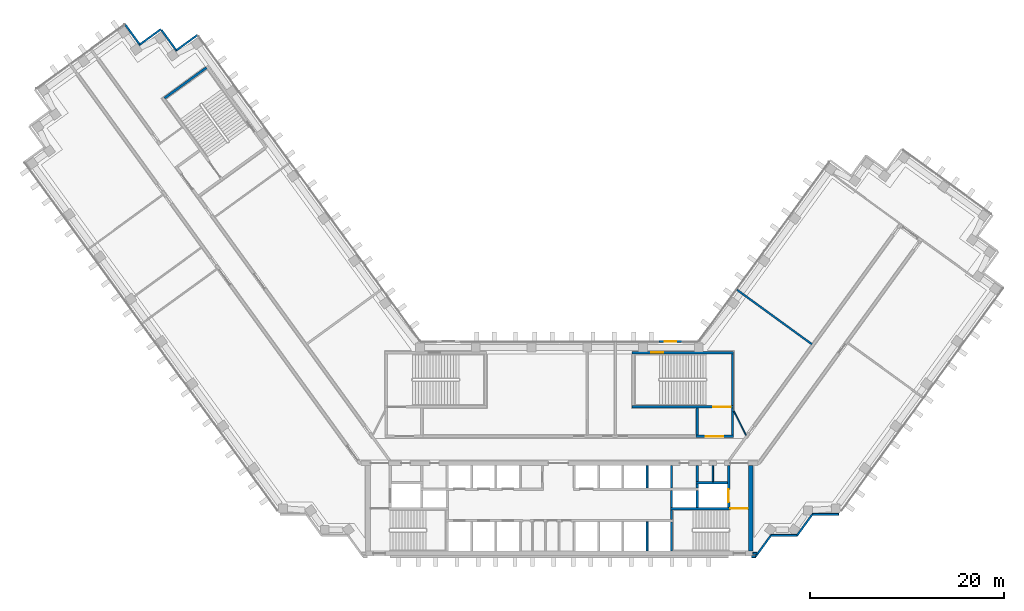
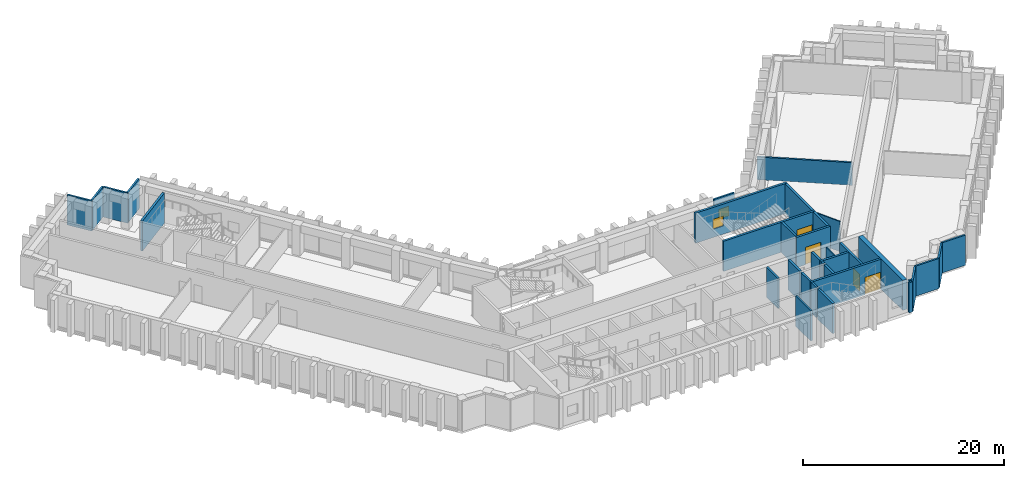
# One storey, part 8 of 12: 34 walls, 4 doors, 2 windows, 6 openings.
"""IFC4 building model written with IfcOpenShell, lengths in metres."""

from ifc_helpers import new_model, si_unit, direction, frame, frame_2d, origin, place, context, subcontext, project, spatial, rectangle, extrude, material, layer, layer_set, type_object, element, fill, save


model = new_model("IFC4")

# Units and contexts
model_context = context("Model", 3, precision=1e-05, world=origin(), true_north=direction((0.0, 1.0)))
body_context = subcontext(model_context, "Body", "Model", "MODEL_VIEW")
ifc_project = project(units=[si_unit("LENGTHUNIT", "METRE"), si_unit("AREAUNIT", "SQUARE_METRE"), si_unit("VOLUMEUNIT", "CUBIC_METRE"), si_unit("PLANEANGLEUNIT", "RADIAN"), si_unit("MASSUNIT", "GRAM", prefix="KILO")], contexts=[model_context])

# Site, building, storey
site_placement = place(None, origin())
site = spatial("IfcSite", under=ifc_project, at=site_placement, CompositionType="ELEMENT")
building_placement = place(site_placement, origin())
building = spatial("IfcBuilding", under=site, at=building_placement, Name="Quipu Civic Tower", CompositionType="ELEMENT")
storey_placement = place(building_placement, frame((0.0, 0.0, 121.0)))
storey = spatial("IfcBuildingStorey", under=building, at=storey_placement, Name="L28", CompositionType="ELEMENT", Elevation=121.0)

# Walls
ifc_material_1 = material(Name="Fired clay blockwork", Category="masonry")
ifc_layer_1 = layer(ifc_material_1, 0.199951171875)
ifc_layer_set_1 = layer_set([ifc_layer_1], Name="Fired clay blockwork")
wall_type_1 = type_object("IfcWallType", Name="Blockwork wall 200", PredefinedType="SOLIDWALL", material=ifc_layer_set_1)
wall_1_placement = place(storey_placement, frame((26.0771484375, 10.831787109375, 0.0), z_axis=(0.0, 0.0, 1.0), x_axis=(-0.809052142986, 0.587736871338, 0.0)))
element("IfcWall", 1, at=wall_1_placement, inside=storey, type_object=wall_type_1, Name="Partition P11", PredefinedType="SOLIDWALL", context=body_context, shape_type="SweptSolid", body=[
    extrude(rectangle(XDim=9.5498046875, YDim=0.199951171875, at=frame_2d((4.77490234375, 0.0))), origin(), (0.0, 0.0, 1.0), 2.75),
])
ifc_material_2 = material(Name="Concrete C70/85", Category="concrete")
ifc_layer_2 = layer(ifc_material_2, 0.25)
ifc_layer_set_2 = layer_set([ifc_layer_2], Name="Concrete C70/85")
wall_type_2 = type_object("IfcWallType", Name="Core wall 250", PredefinedType="SHEAR", material=ifc_layer_set_2)
wall_2_placement = place(storey_placement, frame((11.574951171875, -10.5, 0.0), z_axis=(0.0, 0.0, 1.0), x_axis=(0.0, 1.0, 0.0)))
element("IfcWall", 2, at=wall_2_placement, inside=storey, type_object=wall_type_2, Name="Core wall", PredefinedType="SHEAR", context=body_context, shape_type="SweptSolid", body=[
    extrude(rectangle(XDim=3.0, YDim=0.25, at=frame_2d((1.5, 0.0))), origin(), (0.0, 0.0, 1.0), 3.64990234375),
])
wall_3_placement = place(storey_placement, frame((11.574951171875, -7.25, 0.0), z_axis=(0.0, 0.0, 1.0), x_axis=(0.0, 1.0, 0.0)))
element("IfcWall", 3, at=wall_3_placement, inside=storey, type_object=wall_type_2, Name="Core wall", PredefinedType="SHEAR", context=body_context, shape_type="SweptSolid", body=[
    extrude(rectangle(XDim=1.0, YDim=0.25, at=frame_2d((0.5, 0.0))), origin(), (0.0, 0.0, 1.0), 3.64990234375),
])

# Wall, opening, door
wall_4_placement = place(storey_placement, frame((19.5, -6.125, 0.0), z_axis=(0.0, 0.0, 1.0), x_axis=(-1.0, 0.0, 0.0)))
wall_4 = element("IfcWall", 4, at=wall_4_placement, inside=storey, type_object=wall_type_2, Name="Core wall", PredefinedType="SHEAR", context=body_context, shape_type="SweptSolid", body=[
    extrude(rectangle(XDim=8.050048828125, YDim=0.25, at=frame_2d((4.02490234375, 0.0))), origin(), (0.0, 0.0, 1.0), 3.64990234375),
])
opening_1_placement = place(wall_4_placement, frame((0.050048828125, 0.0, 0.0)))
opening_1 = element("IfcOpeningElement", 5, at=opening_1_placement, cuts=wall_4, Name="Opening CD-06", PredefinedType="OPENING", context=body_context, shape_type="SweptSolid", body=[
    extrude(rectangle(XDim=1.800048828125, YDim=2.10009765625, at=frame_2d((0.89990234375, 1.050048828125))), frame((0.0, 0.135009765625, 0.0), z_axis=(0.0, -1.0, 0.0), x_axis=(1.0, 0.0, 0.0)), (0.0, 0.0, 1.0), 0.27001953125),
])
ifc_material_3 = material(Name="Fire rated steel door", Category="steel")
door_type_1 = type_object("IfcDoorType", Name="Fire door FD90 double 1800 x 2100", OperationType="NOTDEFINED", PredefinedType="DOOR", material=ifc_material_3)
door_1_placement = place(opening_1_placement, origin())
door_1 = element("IfcDoor", 6, at=door_1_placement, inside=storey, type_object=door_type_1, Name="Door", OperationType="DOUBLE_DOOR_SINGLE_SWING", OverallHeight=2.10009765625, OverallWidth=1.800048828125, PredefinedType="DOOR", context=body_context, shape_type="SweptSolid", body=[
    extrude(rectangle(XDim=1.800048828125, YDim=2.10009765625, at=frame_2d((0.89990234375, 1.050048828125))), frame((0.0, 0.02490234375, 0.0), z_axis=(0.0, -1.0, 0.0), x_axis=(1.0, 0.0, 0.0)), (0.0, 0.0, 1.0), 0.050048828125),
])
fill(opening_1, door_1)

# Walls
for number, where, z_axis, x_axis, name in (
    (7, (11.574951171875, -6.0, 0.0), (0.0, 0.0, 1.0), (0.0, 1.0, 0.0), "Core wall"),
    (8, (14.22509765625, -6.0, 0.0), (0.0, 0.0, 1.0), (0.0, 1.0, 0.0), "Core wall"),
):
    element("IfcWall", number, at=place(storey_placement, frame(where, z_axis=z_axis, x_axis=x_axis)), inside=storey, type_object=wall_type_2, Name=name, PredefinedType="SHEAR", context=body_context, shape_type="SweptSolid", body=[
        extrude(rectangle(XDim=1.75, YDim=0.25, at=frame_2d((0.875, 0.0))), origin(), (0.0, 0.0, 1.0), 3.64990234375),
    ])

# Wall, opening, door
wall_5_placement = place(storey_placement, frame((17.47509765625, -6.0, 0.0), z_axis=(0.0, 0.0, 1.0), x_axis=(0.0, 1.0, 0.0)))
wall_5 = element("IfcWall", 9, at=wall_5_placement, inside=storey, type_object=wall_type_2, Name="Core wall", PredefinedType="SHEAR", context=body_context, shape_type="SweptSolid", body=[
    extrude(rectangle(XDim=4.300048828125, YDim=0.25, at=frame_2d((2.14990234375, 0.0))), origin(), (0.0, 0.0, 1.0), 3.64990234375),
])
opening_2_placement = place(wall_5_placement, frame((0.550048828125, 0.0, 0.0)))
opening_2 = element("IfcOpeningElement", 10, at=opening_2_placement, cuts=wall_5, Name="Opening LD-FF2", PredefinedType="OPENING", context=body_context, shape_type="SweptSolid", body=[
    extrude(rectangle(XDim=1.300048828125, YDim=2.10009765625, at=frame_2d((0.64990234375, 1.050048828125))), frame((0.0, 0.135009765625, 0.0), z_axis=(0.0, -1.0, 0.0), x_axis=(1.0, 0.0, 0.0)), (0.0, 0.0, 1.0), 0.27001953125),
])
ifc_material_4 = material(Name="Stainless steel", Category="steel")
door_type_2 = type_object("IfcDoorType", Name="Lift landing door 1300 x 2100", OperationType="DOUBLE_DOOR_SLIDING", PredefinedType="DOOR", material=ifc_material_4)
door_2_placement = place(opening_2_placement, origin())
door_2 = element("IfcDoor", 11, at=door_2_placement, inside=storey, type_object=door_type_2, Name="Landing door FF2", OperationType="DOUBLE_DOOR_SLIDING", OverallHeight=2.10009765625, OverallWidth=1.300048828125, PredefinedType="DOOR", context=body_context, shape_type="SweptSolid", body=[
    extrude(rectangle(XDim=1.300048828125, YDim=2.10009765625, at=frame_2d((0.64990234375, 1.050048828125))), frame((0.0, 0.02490234375, 0.0), z_axis=(0.0, -1.0, 0.0), x_axis=(1.0, 0.0, 0.0)), (0.0, 0.0, 1.0), 0.050048828125),
])
fill(opening_2, door_2)

# Walls
wall_6_placement = place(storey_placement, frame((11.574951171875, -4.0, 0.0), z_axis=(0.0, 0.0, 1.0), x_axis=(0.0, 1.0, 0.0)))
element("IfcWall", 12, at=wall_6_placement, inside=storey, type_object=wall_type_2, Name="Core wall", PredefinedType="SHEAR", context=body_context, shape_type="SweptSolid", body=[
    extrude(rectangle(XDim=2.300048828125, YDim=0.25, at=frame_2d((1.14990234375, 0.0))), origin(), (0.0, 0.0, 1.0), 3.64990234375),
])
wall_7_placement = place(storey_placement, frame((14.22509765625, -4.0, 0.0), z_axis=(0.0, 0.0, 1.0), x_axis=(0.0, 1.0, 0.0)))
element("IfcWall", 13, at=wall_7_placement, inside=storey, type_object=wall_type_2, Name="Core wall", PredefinedType="SHEAR", context=body_context, shape_type="SweptSolid", body=[
    extrude(rectangle(XDim=0.39990234375, YDim=0.25, at=frame_2d((0.199951171875, 0.0))), origin(), (0.0, 0.0, 1.0), 3.64990234375),
])
wall_8_placement = place(storey_placement, frame((14.10009765625, -3.47509765625, 0.0), z_axis=(0.0, 0.0, 1.0), x_axis=(1.0, 0.0, 0.0)))
element("IfcWall", 14, at=wall_8_placement, inside=storey, type_object=wall_type_2, Name="Core wall", PredefinedType="SHEAR", context=body_context, shape_type="SweptSolid", body=[
    extrude(rectangle(XDim=3.25, YDim=0.25, at=frame_2d((1.625, 0.0))), origin(), (0.0, 0.0, 1.0), 3.64990234375),
])
wall_9_placement = place(storey_placement, frame((14.22509765625, -3.35009765625, 0.0), z_axis=(0.0, 0.0, 1.0), x_axis=(0.0, 1.0, 0.0)))
element("IfcWall", 15, at=wall_9_placement, inside=storey, type_object=wall_type_2, Name="Core wall", PredefinedType="SHEAR", context=body_context, shape_type="SweptSolid", body=[
    extrude(rectangle(XDim=1.650146484375, YDim=0.25, at=frame_2d((0.8251953125, 0.0))), origin(), (0.0, 0.0, 1.0), 3.64990234375),
])

# Wall, opening, door
wall_10_placement = place(storey_placement, frame((14.10009765625, 1.324951171875, 0.0), z_axis=(0.0, 0.0, 1.0), x_axis=(1.0, 0.0, 0.0)))
wall_10 = element("IfcWall", 16, at=wall_10_placement, inside=storey, type_object=wall_type_2, Name="Core wall", PredefinedType="SHEAR", context=body_context, shape_type="SweptSolid", body=[
    extrude(rectangle(XDim=3.89990234375, YDim=0.25, at=frame_2d((1.949951171875, 0.0))), origin(), (0.0, 0.0, 1.0), 3.64990234375),
])
opening_3_placement = place(wall_10_placement, frame((1.0, 0.0, 0.0)))
opening_3 = element("IfcOpeningElement", 17, at=opening_3_placement, cuts=wall_10, Name="Opening CD-18", PredefinedType="OPENING", context=body_context, shape_type="SweptSolid", body=[
    extrude(rectangle(XDim=1.800048828125, YDim=2.10009765625, at=frame_2d((0.89990234375, 1.050048828125))), frame((0.0, 0.135009765625, 0.0), z_axis=(0.0, -1.0, 0.0), x_axis=(1.0, 0.0, 0.0)), (0.0, 0.0, 1.0), 0.27001953125),
])
door_3_placement = place(opening_3_placement, origin())
door_3 = element("IfcDoor", 18, at=door_3_placement, inside=storey, type_object=door_type_1, Name="Lobby door", OperationType="DOUBLE_DOOR_SINGLE_SWING", OverallHeight=2.10009765625, OverallWidth=1.800048828125, PredefinedType="DOOR", context=body_context, shape_type="SweptSolid", body=[
    extrude(rectangle(XDim=1.800048828125, YDim=2.10009765625, at=frame_2d((0.89990234375, 1.050048828125))), frame((0.0, 0.02490234375, 0.0), z_axis=(0.0, -1.0, 0.0), x_axis=(1.0, 0.0, 0.0)), (0.0, 0.0, 1.0), 0.050048828125),
])
fill(opening_3, door_3)

# Walls
for number, where, z_axis, x_axis, name in (
    (19, (14.22509765625, 1.449951171875, 0.0), (0.0, 0.0, 1.0), (0.0, 1.0, 0.0), "Core wall"),
    (20, (17.875, 1.449951171875, 0.0), (0.0, 0.0, 1.0), (0.0, 1.0, 0.0), "Core wall"),
):
    element("IfcWall", number, at=place(storey_placement, frame(where, z_axis=z_axis, x_axis=x_axis)), inside=storey, type_object=wall_type_2, Name=name, PredefinedType="SHEAR", context=body_context, shape_type="SweptSolid", body=[
        extrude(rectangle(XDim=2.800048828125, YDim=0.25, at=frame_2d((1.39990234375, 0.0))), origin(), (0.0, 0.0, 1.0), 3.64990234375),
    ])

# Wall, opening, door
wall_11_placement = place(storey_placement, frame((7.5, 4.375, 0.0), z_axis=(0.0, 0.0, 1.0), x_axis=(1.0, 0.0, 0.0)))
wall_11 = element("IfcWall", 21, at=wall_11_placement, inside=storey, type_object=wall_type_2, Name="Core wall", PredefinedType="SHEAR", context=body_context, shape_type="SweptSolid", body=[
    extrude(rectangle(XDim=10.5, YDim=0.25, at=frame_2d((5.25, 0.0))), origin(), (0.0, 0.0, 1.0), 3.64990234375),
])
opening_4_placement = place(wall_11_placement, frame((8.39990234375, 0.0, 0.0)))
opening_4 = element("IfcOpeningElement", 22, at=opening_4_placement, cuts=wall_11, Name="Opening CD-19", PredefinedType="OPENING", context=body_context, shape_type="SweptSolid", body=[
    extrude(rectangle(XDim=1.800048828125, YDim=2.10009765625, at=frame_2d((0.89990234375, 1.050048828125))), frame((0.0, 0.135009765625, 0.0), z_axis=(0.0, -1.0, 0.0), x_axis=(1.0, 0.0, 0.0)), (0.0, 0.0, 1.0), 0.27001953125),
])
door_4_placement = place(opening_4_placement, origin())
door_4 = element("IfcDoor", 23, at=door_4_placement, inside=storey, type_object=door_type_1, Name="Door", OperationType="DOUBLE_DOOR_SINGLE_SWING", OverallHeight=2.10009765625, OverallWidth=1.800048828125, PredefinedType="DOOR", context=body_context, shape_type="SweptSolid", body=[
    extrude(rectangle(XDim=1.800048828125, YDim=2.10009765625, at=frame_2d((0.89990234375, 1.050048828125))), frame((0.0, 0.02490234375, 0.0), z_axis=(0.0, -1.0, 0.0), x_axis=(1.0, 0.0, 0.0)), (0.0, 0.0, 1.0), 0.050048828125),
])
fill(opening_4, door_4)

# Wall
wall_12_placement = place(storey_placement, frame((17.875, 4.5, 0.0), z_axis=(0.0, 0.0, 1.0), x_axis=(0.0, 1.0, 0.0)))
element("IfcWall", 24, at=wall_12_placement, inside=storey, type_object=wall_type_2, Name="Core wall", PredefinedType="SHEAR", context=body_context, shape_type="SweptSolid", body=[
    extrude(rectangle(XDim=5.35009765625, YDim=0.25, at=frame_2d((2.675048828125, 0.0))), origin(), (0.0, 0.0, 1.0), 3.64990234375),
])

# Wall, opening, window
wall_13_placement = place(storey_placement, frame((7.5, 9.97509765625, 0.0), z_axis=(0.0, 0.0, 1.0), x_axis=(1.0, 0.0, 0.0)))
wall_13 = element("IfcWall", 25, at=wall_13_placement, inside=storey, type_object=wall_type_2, Name="Core wall", PredefinedType="SHEAR", context=body_context, shape_type="SweptSolid", body=[
    extrude(rectangle(XDim=10.5, YDim=0.25, at=frame_2d((5.25, 0.0))), origin(), (0.0, 0.0, 1.0), 3.64990234375),
])
opening_5_placement = place(wall_13_placement, frame((2.0, 0.0, 1.0)))
opening_5 = element("IfcOpeningElement", 26, at=opening_5_placement, cuts=wall_13, Name="Opening SV-4", PredefinedType="OPENING", context=body_context, shape_type="SweptSolid", body=[
    extrude(rectangle(XDim=1.199951171875, YDim=1.199951171875, at=frame_2d((0.60009765625, 0.60009765625))), frame((0.0, 0.135009765625, 0.0), z_axis=(0.0, -1.0, 0.0), x_axis=(1.0, 0.0, 0.0)), (0.0, 0.0, 1.0), 0.27001953125),
])
ifc_material_5 = material(Name="Aluminium louvre", Category="aluminium")
window_type_1 = type_object("IfcWindowType", Name="Stair ventilation louvre 1200 x 1200", PartitioningType="SINGLE_PANEL", PredefinedType="WINDOW", material=ifc_material_5)
window_1_placement = place(opening_5_placement, origin())
window_1 = element("IfcWindow", 27, at=window_1_placement, inside=storey, type_object=window_type_1, Name="Stair ventilation opening", OverallHeight=1.199951171875, OverallWidth=1.199951171875, PartitioningType="SINGLE_PANEL", PredefinedType="WINDOW", context=body_context, shape_type="SweptSolid", body=[
    extrude(rectangle(XDim=1.199951171875, YDim=1.199951171875, at=frame_2d((0.60009765625, 0.60009765625))), frame((0.0, 0.030029296875, 0.0), z_axis=(0.0, -1.0, 0.0), x_axis=(1.0, 0.0, 0.0)), (0.0, 0.0, 1.0), 0.06005859375),
])
fill(opening_5, window_1)

# Walls
wall_14_placement = place(storey_placement, frame((-36.43896484375, 39.384033203125, 0.0), z_axis=(0.0, 0.0, 1.0), x_axis=(-0.809020161303, -0.587780893365, 0.0)))
element("IfcWall", 28, at=wall_14_placement, inside=storey, type_object=wall_type_2, Name="Core wall", PredefinedType="SHEAR", context=body_context, shape_type="SweptSolid", body=[
    extrude(rectangle(XDim=5.349853515625, YDim=0.25, at=frame_2d((2.6748046875, 0.0))), origin(), (0.0, 0.0, 1.0), 3.64990234375),
])
ifc_material_6 = material(Name="Concrete C70/85", Category="concrete")
ifc_layer_3 = layer(ifc_material_6, 0.5)
ifc_layer_set_3 = layer_set([ifc_layer_3], Name="Concrete C70/85")
wall_type_3 = type_object("IfcWallType", Name="Core wall 500", PredefinedType="SHEAR", material=ifc_layer_set_3)
wall_15_placement = place(storey_placement, frame((19.75, -10.5, 0.0), z_axis=(0.0, 0.0, 1.0), x_axis=(0.0, 1.0, 0.0)))
element("IfcWall", 29, at=wall_15_placement, inside=storey, type_object=wall_type_3, Name="Core wall", PredefinedType="SHEAR", context=body_context, shape_type="SweptSolid", body=[
    extrude(rectangle(XDim=8.800048828125, YDim=0.5, at=frame_2d((4.39990234375, 0.0))), origin(), (0.0, 0.0, 1.0), 3.64990234375),
])
ifc_material_7 = material(Name="Gypsum plasterboard on light gauge framing")
ifc_layer_4 = layer(ifc_material_7, 0.1201171875)
ifc_layer_set_4 = layer_set([ifc_layer_4], Name="Gypsum plasterboard on light gauge framing")
wall_type_4 = type_object("IfcWallType", Name="Partition 120 plasterboard", PredefinedType="PARTITIONING", material=ifc_layer_set_4)
wall_16_placement = place(storey_placement, frame((18.0, 3.925048828125, 0.0), z_axis=(0.0, 0.0, 1.0), x_axis=(0.453950796792, -0.891026752736, 0.0)))
element("IfcWall", 30, at=wall_16_placement, inside=storey, type_object=wall_type_4, Name="Partition P13", PredefinedType="PARTITIONING", context=body_context, shape_type="SweptSolid", body=[
    extrude(rectangle(XDim=2.77783203125, YDim=0.1201171875, at=frame_2d((1.388916015625, 0.0))), origin(), (0.0, 0.0, 1.0), 3.64990234375),
])
ifc_material_8 = material(Name="Gypsum board partition")
ifc_layer_5 = layer(ifc_material_8, 0.14990234375)
ifc_layer_set_5 = layer_set([ifc_layer_5], Name="Gypsum board partition")
wall_type_5 = type_object("IfcWallType", Name="Partition 150", PredefinedType="PARTITIONING", material=ifc_layer_set_5)
wall_17_placement = place(storey_placement, frame((15.85009765625, -3.35009765625, 0.0), z_axis=(0.0, 0.0, 1.0), x_axis=(0.0, 1.0, 0.0)))
element("IfcWall", 31, at=wall_17_placement, inside=storey, type_object=wall_type_5, Name="Partition", PredefinedType="PARTITIONING", context=body_context, shape_type="SweptSolid", body=[
    extrude(rectangle(XDim=1.650146484375, YDim=0.14990234375, at=frame_2d((0.8251953125, 0.0))), origin(), (0.0, 0.0, 1.0), 3.64990234375),
])
ifc_material_9 = material(Name="Precast concrete C40/50", Category="concrete")
wall_type_6 = type_object("IfcWallType", Name="Precast cladding wall", PredefinedType="SOLIDWALL", material=ifc_material_9)
wall_18_placement = place(storey_placement, frame((-37.352783203125, 42.768310546875, 0.0), z_axis=(0.0, 0.0, 1.0), x_axis=(-0.809033161865, -0.587762999008, 0.0)))
element("IfcWall", 32, at=wall_18_placement, inside=storey, type_object=wall_type_6, Name="Precast cladding wall L28 2", PredefinedType="SOLIDWALL", context=body_context, shape_type="SweptSolid", body=[
    extrude(rectangle(XDim=2.699951171875, YDim=0.199951171875, at=frame_2d((1.35009765625, 0.0))), origin(), (0.0, 0.0, 1.0), 3.64990234375),
])
wall_19_placement = place(storey_placement, frame((-39.488037109375, 41.093505859375, 0.0), z_axis=(0.0, 0.0, 1.0), x_axis=(-0.587806000234, 0.809001919707, 0.0)))
element("IfcWall", 33, at=wall_19_placement, inside=storey, type_object=wall_type_6, Name="Precast cladding wall L28 3", PredefinedType="SOLIDWALL", context=body_context, shape_type="SweptSolid", body=[
    extrude(rectangle(XDim=2.69970703125, YDim=0.199951171875, at=frame_2d((1.349853515625, 0.0))), origin(), (0.0, 0.0, 1.0), 3.64990234375),
])
for number, where, z_axis, x_axis, name in (
    (34, (-41.1240234375, 43.36572265625, 0.0), (0.0, 0.0, 1.0), (-0.809033161865, -0.587762999008, 0.0), "Precast cladding wall L28 4"),
    (35, (-43.25927734375, 41.690673828125, 0.0), (0.0, 0.0, 1.0), (-0.587822180636, 0.808990163075, 0.0), "Precast cladding wall L28 5"),
):
    element("IfcWall", number, at=place(storey_placement, frame(where, z_axis=z_axis, x_axis=x_axis)), inside=storey, type_object=wall_type_6, Name=name, PredefinedType="SOLIDWALL", context=body_context, shape_type="SweptSolid", body=[
        extrude(rectangle(XDim=2.699951171875, YDim=0.199951171875, at=frame_2d((1.35009765625, 0.0))), origin(), (0.0, 0.0, 1.0), 3.64990234375),
    ])
wall_20_placement = place(storey_placement, frame((19.85009765625, -11.087890625, 0.0), z_axis=(0.0, 0.0, 1.0), x_axis=(1.0, 0.0, 0.0)))
element("IfcWall", 36, at=wall_20_placement, inside=storey, type_object=wall_type_6, Name="Precast cladding wall L28 18", PredefinedType="SOLIDWALL", context=body_context, shape_type="SweptSolid", body=[
    extrude(rectangle(XDim=0.40576171875, YDim=0.199951171875, at=frame_2d((0.202880859375, 0.0))), origin(), (0.0, 0.0, 1.0), 3.64990234375),
])
wall_21_placement = place(storey_placement, frame((20.253173828125, -11.083251953125, 0.0), z_axis=(0.0, 0.0, 1.0), x_axis=(0.587766567315, 0.809030569476, 0.0)))
element("IfcWall", 37, at=wall_21_placement, inside=storey, type_object=wall_type_6, Name="Precast cladding wall L28 19", PredefinedType="SOLIDWALL", context=body_context, shape_type="SweptSolid", body=[
    extrude(rectangle(XDim=2.687744140625, YDim=0.199951171875, at=frame_2d((1.34375, 0.0))), origin(), (0.0, 0.0, 1.0), 3.64990234375),
])
wall_22_placement = place(storey_placement, frame((21.8427734375, -8.90380859375, 0.0), z_axis=(0.0, 0.0, 1.0), x_axis=(1.0, 0.0, 0.0)))
element("IfcWall", 38, at=wall_22_placement, inside=storey, type_object=wall_type_6, Name="Precast cladding wall L28 20", PredefinedType="SOLIDWALL", context=body_context, shape_type="SweptSolid", body=[
    extrude(rectangle(XDim=2.699951171875, YDim=0.199951171875, at=frame_2d((1.35009765625, 0.0))), origin(), (0.0, 0.0, 1.0), 3.64990234375),
])
wall_23_placement = place(storey_placement, frame((24.533203125, -8.90869140625, 0.0), z_axis=(0.0, 0.0, 1.0), x_axis=(0.587720002413, 0.809064397168, 0.0)))
element("IfcWall", 39, at=wall_23_placement, inside=storey, type_object=wall_type_6, Name="Precast cladding wall L28 21", PredefinedType="SOLIDWALL", context=body_context, shape_type="SweptSolid", body=[
    extrude(rectangle(XDim=2.7001953125, YDim=0.199951171875, at=frame_2d((1.35009765625, 0.0))), origin(), (0.0, 0.0, 1.0), 3.64990234375),
])
wall_24_placement = place(storey_placement, frame((26.1298828125, -6.71923828125, 0.0), z_axis=(0.0, 0.0, 1.0), x_axis=(1.0, 0.0, 0.0)))
element("IfcWall", 40, at=wall_24_placement, inside=storey, type_object=wall_type_6, Name="Precast cladding wall L28 22", PredefinedType="SOLIDWALL", context=body_context, shape_type="SweptSolid", body=[
    extrude(rectangle(XDim=2.699951171875, YDim=0.199951171875, at=frame_2d((1.35009765625, 0.0))), origin(), (0.0, 0.0, 1.0), 3.64990234375),
])

# Wall, opening, window
wall_25_placement = place(storey_placement, frame((12.655029296875, 11.10009765625, 0.0), z_axis=(0.0, 0.0, 1.0), x_axis=(-1.0, 0.0, 0.0)))
wall_25 = element("IfcWall", 41, at=wall_25_placement, inside=storey, type_object=wall_type_6, Name="Vent surround SF-L28-2", PredefinedType="SOLIDWALL", context=body_context, shape_type="SweptSolid", body=[
    extrude(rectangle(XDim=2.3916015625, YDim=0.199951171875, at=frame_2d((1.19580078125, 0.0))), origin(), (0.0, 0.0, 1.0), 3.64990234375),
])
opening_6_placement = place(wall_25_placement, frame((0.595703125, 0.0, 1.0)))
opening_6 = element("IfcOpeningElement", 42, at=opening_6_placement, cuts=wall_25, Name="Opening SF-L28-2", PredefinedType="OPENING", context=body_context, shape_type="SweptSolid", body=[
    extrude(rectangle(XDim=1.199951171875, YDim=1.199951171875, at=frame_2d((0.60009765625, 0.60009765625))), frame((0.0, 0.10986328125, 0.0), z_axis=(0.0, -1.0, 0.0), x_axis=(1.0, 0.0, 0.0)), (0.0, 0.0, 1.0), 0.219970703125),
])
ifc_material_10 = material(Name="Anodised aluminium louvre", Category="aluminium")
window_type_2 = type_object("IfcWindowType", Name="Stair vent louvre window P3", PartitioningType="SINGLE_PANEL", PredefinedType="WINDOW", material=ifc_material_10)
window_2_placement = place(opening_6_placement, origin())
window_2 = element("IfcWindow", 43, at=window_2_placement, inside=storey, type_object=window_type_2, Name="Stair vent louvre SF-L28-2", OverallHeight=1.199951171875, OverallWidth=1.199951171875, PartitioningType="SINGLE_PANEL", PredefinedType="WINDOW", context=body_context, shape_type="SweptSolid", body=[
    extrude(rectangle(XDim=1.199951171875, YDim=1.199951171875, at=frame_2d((0.60009765625, 0.60009765625))), frame((0.0, 0.030029296875, 0.0), z_axis=(0.0, -1.0, 0.0), x_axis=(1.0, 0.0, 0.0)), (0.0, 0.0, 1.0), 0.06005859375),
])
fill(opening_6, window_2)

# Walls
wall_26_placement = place(storey_placement, frame((19.97998046875, -10.75, 0.0), z_axis=(0.0, 0.0, 1.0), x_axis=(1.0, 0.0, 0.0)))
element("IfcWall", 44, at=wall_26_placement, inside=storey, type_object=wall_type_6, Name="Precast cladding return L28 E", PredefinedType="SOLIDWALL", context=body_context, shape_type="SweptSolid", body=[
    extrude(rectangle(XDim=0.41650390625, YDim=0.199951171875, at=frame_2d((0.208251953125, 0.0))), origin(), (0.0, 0.0, 1.0), 3.64990234375),
])
ifc_material_11 = material(Name="Concrete C40/50", Category="concrete")
ifc_layer_6 = layer(ifc_material_11, 0.199951171875)
ifc_layer_set_6 = layer_set([ifc_layer_6], Name="Concrete C40/50")
wall_type_7 = type_object("IfcWallType", Name="Shaft wall 200", PredefinedType="SOLIDWALL", material=ifc_layer_set_6)
wall_27_placement = place(storey_placement, frame((9.050048828125, -10.5, 0.0), z_axis=(0.0, 0.0, 1.0), x_axis=(0.0, 1.0, 0.0)))
element("IfcWall", 45, at=wall_27_placement, inside=storey, type_object=wall_type_7, Name="Shaft wall", PredefinedType="SOLIDWALL", context=body_context, shape_type="SweptSolid", body=[
    extrude(rectangle(XDim=3.0, YDim=0.199951171875, at=frame_2d((1.5, 0.0))), origin(), (0.0, 0.0, 1.0), 3.64990234375),
])
wall_28_placement = place(storey_placement, frame((9.050048828125, -4.0, 0.0), z_axis=(0.0, 0.0, 1.0), x_axis=(0.0, 1.0, 0.0)))
element("IfcWall", 46, at=wall_28_placement, inside=storey, type_object=wall_type_7, Name="Shaft wall", PredefinedType="SOLIDWALL", context=body_context, shape_type="SweptSolid", body=[
    extrude(rectangle(XDim=2.300048828125, YDim=0.199951171875, at=frame_2d((1.14990234375, 0.0))), origin(), (0.0, 0.0, 1.0), 3.64990234375),
])

save(model, "model.ifc")
